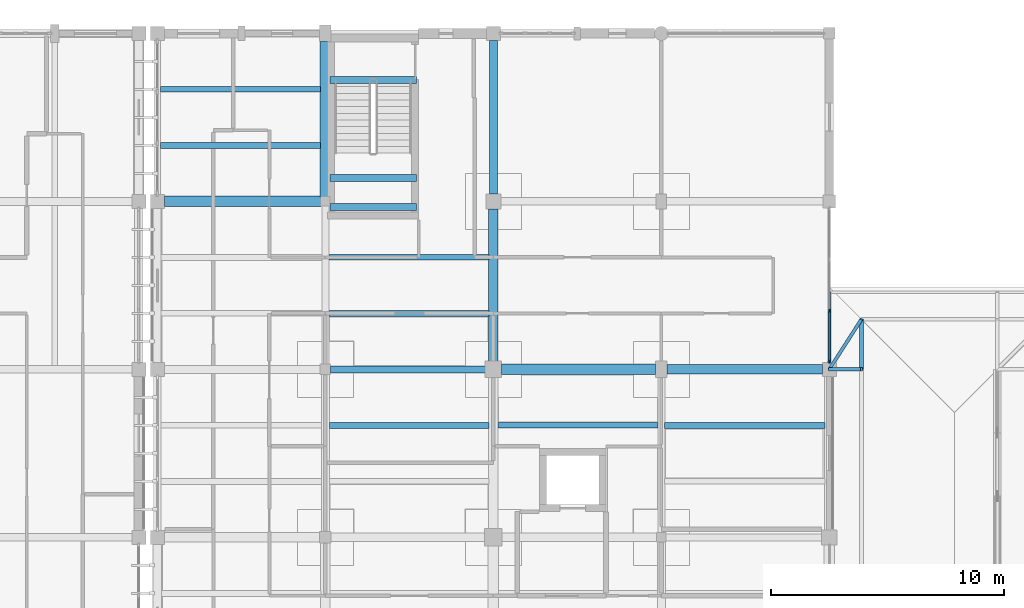
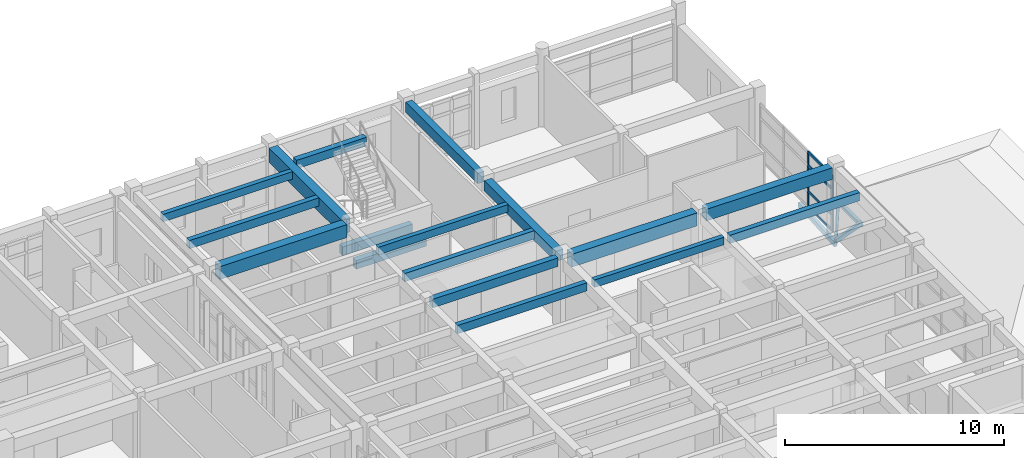
# One storey, part 19 of 55: 17 beams, 10 members, 1 element without a shape of its own.
"""IFC4 building model written with IfcOpenShell, lengths in metres."""

from ifc_helpers import new_model, si_unit, direction, frame, origin, origin_2d, place, context, subcontext, project, spatial, rectangle, i_section, extrude, material, material_profile, profile_set, type_object, element, aggregate, save


model = new_model("IFC4")

# Units and contexts
model_context = context("Model", 3, precision=1e-05, world=origin(), true_north=direction((0.0, 1.0)))
body_context = subcontext(model_context, "Body", "Model", "MODEL_VIEW")
ifc_project = project(units=[si_unit("LENGTHUNIT", "METRE"), si_unit("AREAUNIT", "SQUARE_METRE"), si_unit("VOLUMEUNIT", "CUBIC_METRE"), si_unit("PLANEANGLEUNIT", "RADIAN"), si_unit("MASSUNIT", "GRAM", prefix="KILO")], contexts=[model_context])

# Site, building, storey
site_placement = place(None, origin())
site = spatial("IfcSite", under=ifc_project, at=site_placement, CompositionType="ELEMENT")
building_placement = place(site_placement, origin())
building = spatial("IfcBuilding", under=site, at=building_placement, Name="Steenspoor Specialist Clinic", CompositionType="ELEMENT")
storey_placement = place(building_placement, frame((0.0, 0.0, 13.199951171875)))
storey = spatial("IfcBuildingStorey", under=building, at=storey_placement, Name="L03", CompositionType="ELEMENT", Elevation=13.199951171875)

# Beams
ifc_material_1 = material(Name="Concrete C35/45", Category="concrete")
ifc_material_profile_1 = material_profile(ifc_material_1, rectangle(XDim=0.300048828125, YDim=0.47998046875, at=origin_2d()), Name="RC-BM-300X480")
ifc_profile_set_1 = profile_set([ifc_material_profile_1], Name="Concrete C35/45")
beam_type_1 = type_object("IfcBeamType", Name="BM-RC-300X480", PredefinedType="BEAM", material=ifc_profile_set_1)
for number, where, z_axis, x_axis, name in (
    (1, (125.39990234375, 102.14990234375, 1.66015625), (1.0, 0.0, 0.0), (0.0, 1.0, 0.0), "Stair Mid-Landing Bearer 1 ST-V6A L03"),
    (2, (125.39990234375, 100.89990234375, 1.66015625), (1.0, 0.0, 0.0), (0.0, 1.0, 0.0), "Stair Mid-Landing Bearer 2 ST-V6A L03"),
    (3, (125.39990234375, 106.35009765625, 3.9599609375), (1.0, 0.0, 0.0), (0.0, 1.0, 0.0), "Stair Well Trimmer Beam ST-V6A L03"),
):
    element("IfcBeam", number, at=place(storey_placement, frame(where, z_axis=z_axis, x_axis=x_axis)), inside=storey, type_object=beam_type_1, Name=name, PredefinedType="BEAM", context=body_context, shape_type="SweptSolid", body=[
        extrude(rectangle(XDim=0.300048828125, YDim=0.47998046875, at=origin_2d()), origin(), (0.0, 0.0, 1.0), 3.7001953125),
    ])
beam_1_placement = place(storey_placement, frame((125.419921875, 93.949951171875, 3.7099609375), z_axis=(1.0, 0.0, 0.0), x_axis=(0.0, 1.0, 0.0)))
element("IfcBeam", 4, at=beam_1_placement, inside=storey, type_object=beam_type_1, Name="BM-V6-L03-X1718", PredefinedType="BEAM", context=body_context, shape_type="SweptSolid", body=[
    extrude(rectangle(XDim=0.300048828125, YDim=0.47998046875, at=origin_2d()), origin(), (0.0, 0.0, 1.0), 6.635009765625),
])
ifc_material_profile_2 = material_profile(ifc_material_1, rectangle(XDim=0.35009765625, YDim=0.580078125, at=origin_2d()), Name="RC-BM-350X580")
ifc_profile_set_2 = profile_set([ifc_material_profile_2], Name="Concrete C35/45")
beam_type_2 = type_object("IfcBeamType", Name="BM-RC-350X580", PredefinedType="BEAM", material=ifc_profile_set_2)
beam_2_placement = place(storey_placement, frame((132.39990234375, 101.469970703125, 3.66015625), z_axis=(0.0, 1.0, 0.0), x_axis=(-1.0, 0.0, 0.0)))
element("IfcBeam", 5, at=beam_2_placement, inside=storey, type_object=beam_type_2, Name="BM-V6-L03-Y1741", PredefinedType="BEAM", context=body_context, shape_type="SweptSolid", body=[
    extrude(rectangle(XDim=0.35009765625, YDim=0.580078125, at=origin_2d()), origin(), (0.0, 0.0, 1.0), 6.5849609375),
])
ifc_material_profile_3 = material_profile(ifc_material_1, rectangle(XDim=0.39990234375, YDim=0.580078125, at=origin_2d()), Name="RC-BM-400X580")
ifc_profile_set_3 = profile_set([ifc_material_profile_3], Name="Concrete C35/45")
beam_type_3 = type_object("IfcBeamType", Name="BM-RC-400X580", PredefinedType="BEAM", material=ifc_profile_set_3)
beam_3_placement = place(storey_placement, frame((132.39990234375, 94.294921875, 3.66015625), z_axis=(0.0, 1.0, 0.0), x_axis=(-1.0, 0.0, 0.0)))
element("IfcBeam", 6, at=beam_3_placement, inside=storey, type_object=beam_type_3, Name="BM-V6-L03-Y1740", PredefinedType="BEAM", context=body_context, shape_type="SweptSolid", body=[
    extrude(rectangle(XDim=0.39990234375, YDim=0.580078125, at=origin_2d()), origin(), (0.0, 0.0, 1.0), 6.53515625),
])
ifc_material_profile_4 = material_profile(ifc_material_1, rectangle(XDim=0.39990234375, YDim=0.64990234375, at=origin_2d()), Name="RC-BM-400X650")
ifc_profile_set_4 = profile_set([ifc_material_profile_4], Name="Concrete C35/45")
beam_type_4 = type_object("IfcBeamType", Name="BM-RC-400X650", PredefinedType="BEAM", material=ifc_profile_set_4)
beam_4_placement = place(storey_placement, frame((139.844970703125, 93.949951171875, 3.625), z_axis=(1.0, 0.0, 0.0), x_axis=(0.0, 1.0, 0.0)))
element("IfcBeam", 7, at=beam_4_placement, inside=storey, type_object=beam_type_4, Name="BM-V6-L03-X1720", PredefinedType="BEAM", context=body_context, shape_type="SweptSolid", body=[
    extrude(rectangle(XDim=0.39990234375, YDim=0.64990234375, at=origin_2d()), origin(), (0.0, 0.0, 1.0), 6.659912109375),
])
ifc_material_profile_5 = material_profile(ifc_material_1, rectangle(XDim=0.449951171875, YDim=0.719970703125, at=origin_2d()), Name="RC-BM-450X720")
ifc_profile_set_5 = profile_set([ifc_material_profile_5], Name="Concrete C35/45")
beam_type_5 = type_object("IfcBeamType", Name="BM-RC-450X720", PredefinedType="BEAM", material=ifc_profile_set_5)
beam_5_placement = place(storey_placement, frame((132.7451171875, 93.949951171875, 3.590087890625), z_axis=(1.0, 0.0, 0.0), x_axis=(0.0, 1.0, 0.0)))
element("IfcBeam", 8, at=beam_5_placement, inside=storey, type_object=beam_type_5, Name="BM-V6-L03-X1719", PredefinedType="BEAM", context=body_context, shape_type="SweptSolid", body=[
    extrude(rectangle(XDim=0.449951171875, YDim=0.719970703125, at=origin_2d()), origin(), (0.0, 0.0, 1.0), 6.60986328125),
])
beam_6_placement = place(storey_placement, frame((118.294921875, 101.14990234375, 3.590087890625), z_axis=(1.0, 0.0, 0.0), x_axis=(0.0, 1.0, 0.0)))
element("IfcBeam", 9, at=beam_6_placement, inside=storey, type_object=beam_type_5, Name="BM-V6-L03-X1721", PredefinedType="BEAM", context=body_context, shape_type="SweptSolid", body=[
    extrude(rectangle(XDim=0.449951171875, YDim=0.719970703125, at=origin_2d()), origin(), (0.0, 0.0, 1.0), 6.7099609375),
])
ifc_material_profile_6 = material_profile(ifc_material_1, rectangle(XDim=0.449951171875, YDim=0.800048828125, at=origin_2d()), Name="RC-BM-450X800")
ifc_profile_set_6 = profile_set([ifc_material_profile_6], Name="Concrete C35/45")
beam_type_6 = type_object("IfcBeamType", Name="BM-RC-450X800", PredefinedType="BEAM", material=ifc_profile_set_6)
beam_7_placement = place(storey_placement, frame((125.199951171875, 101.344970703125, 3.550048828125), z_axis=(0.0, 1.0, 0.0), x_axis=(-1.0, 0.0, 0.0)))
element("IfcBeam", 10, at=beam_7_placement, inside=storey, type_object=beam_type_6, Name="BM-V6-L03-Y1735", PredefinedType="BEAM", context=body_context, shape_type="SweptSolid", body=[
    extrude(rectangle(XDim=0.449951171875, YDim=0.800048828125, at=origin_2d()), origin(), (0.0, 0.0, 1.0), 6.659912109375),
])

# Curtain wall, members
ifc_material_2 = material(Name="Thermally broken aluminium and low-emissivity glass", Category="aluminium")
curtain_wall_type = type_object("IfcCurtainWallType", Name="CW-TYP-660X355", PredefinedType="USERDEFINED", material=ifc_material_2)
curtain_wall_placement = place(storey_placement, origin())
curtain_wall = element("IfcCurtainWall", 11, at=curtain_wall_placement, inside=storey, type_object=curtain_wall_type, Name="Unitised Curtain Wall CW-V6-L03-201", ObjectType="UNITISED GLAZING", PredefinedType="USERDEFINED")
ifc_material_3 = material(Name="Thermally broken aluminium 6063-T6", Category="aluminium")
ifc_material_profile_7 = material_profile(ifc_material_3, rectangle(XDim=0.06494140625, YDim=0.14990234375, at=origin_2d()), Name="CWM-65X150")
ifc_profile_set_7 = profile_set([ifc_material_profile_7], Name="Thermally broken aluminium 6063-T6")
member_type_1 = type_object("IfcMemberType", Name="CW-MULL-65X150", PredefinedType="MULLION", material=ifc_profile_set_7)
member_1_placement = place(storey_placement, frame((146.800048828125, 96.458251953125, 0.0), z_axis=(0.0, 0.0, 1.0), x_axis=(1.0, 0.0, 0.0)))
member_1 = element("IfcMember", 12, at=member_1_placement, type_object=member_type_1, Name="CW-09 mullion 3", PredefinedType="MULLION", context=body_context, shape_type="SweptSolid", body=[
    extrude(rectangle(XDim=0.06494140625, YDim=0.14990234375, at=origin_2d()), origin(), (0.0, 0.0, 1.0), 3.130126953125),
])
member_2_placement = place(storey_placement, frame((146.800048828125, 94.282470703125, 0.0), z_axis=(0.0, 0.0, 1.0), x_axis=(1.0, 0.0, 0.0)))
member_2 = element("IfcMember", 13, at=member_2_placement, type_object=member_type_1, Name="CW-09 mullion 4", PredefinedType="MULLION", context=body_context, shape_type="SweptSolid", body=[
    extrude(rectangle(XDim=0.06494140625, YDim=0.14990234375, at=origin_2d()), origin(), (0.0, 0.0, 1.0), 3.130126953125),
])
ifc_material_profile_8 = material_profile(ifc_material_3, rectangle(XDim=0.070068359375, YDim=0.14501953125, at=origin_2d()), Name="CWT-70X145")
ifc_profile_set_8 = profile_set([ifc_material_profile_8], Name="Thermally broken aluminium 6063-T6")
member_type_2 = type_object("IfcMemberType", Name="CW-TRAN-70X145", PredefinedType="USERDEFINED", material=ifc_profile_set_8)
member_3_placement = place(storey_placement, frame((146.800048828125, 96.42578125, 0.03515625), z_axis=(0.0, -1.0, 0.0), x_axis=(1.0, 0.0, 0.0)))
member_3 = element("IfcMember", 14, at=member_3_placement, type_object=member_type_2, Name="CW-09 transom 3.1", ObjectType="TRANSOM", PredefinedType="USERDEFINED", context=body_context, shape_type="SweptSolid", body=[
    extrude(rectangle(XDim=0.070068359375, YDim=0.14501953125, at=origin_2d()), origin(), (0.0, 0.0, 1.0), 2.11083984375),
])
member_4_placement = place(storey_placement, frame((146.800048828125, 96.42578125, 0.900146484375), z_axis=(0.0, -1.0, 0.0), x_axis=(1.0, 0.0, 0.0)))
member_4 = element("IfcMember", 15, at=member_4_placement, type_object=member_type_2, Name="CW-09 transom 3.2", ObjectType="TRANSOM", PredefinedType="USERDEFINED", context=body_context, shape_type="SweptSolid", body=[
    extrude(rectangle(XDim=0.070068359375, YDim=0.14501953125, at=origin_2d()), origin(), (0.0, 0.0, 1.0), 2.11083984375),
])
member_5_placement = place(storey_placement, frame((146.800048828125, 96.42578125, 2.35009765625), z_axis=(0.0, -1.0, 0.0), x_axis=(1.0, 0.0, 0.0)))
member_5 = element("IfcMember", 16, at=member_5_placement, type_object=member_type_2, Name="CW-09 transom 3.3", ObjectType="TRANSOM", PredefinedType="USERDEFINED", context=body_context, shape_type="SweptSolid", body=[
    extrude(rectangle(XDim=0.070068359375, YDim=0.14501953125, at=origin_2d()), origin(), (0.0, 0.0, 1.0), 2.11083984375),
])
member_6_placement = place(storey_placement, frame((146.800048828125, 96.42578125, 3.094970703125), z_axis=(0.0, -1.0, 0.0), x_axis=(1.0, 0.0, 0.0)))
member_6 = element("IfcMember", 17, at=member_6_placement, type_object=member_type_2, Name="CW-09 transom 3.4", ObjectType="TRANSOM", PredefinedType="USERDEFINED", context=body_context, shape_type="SweptSolid", body=[
    extrude(rectangle(XDim=0.070068359375, YDim=0.14501953125, at=origin_2d()), origin(), (0.0, 0.0, 1.0), 2.11083984375),
])
aggregate(curtain_wall, [member_1, member_2, member_3, member_4, member_5, member_6])

# Beams
ifc_material_profile_9 = material_profile(ifc_material_1, rectangle(XDim=0.239990234375, YDim=0.419921875, at=origin_2d()), Name="RC-JT-240X420")
ifc_profile_set_9 = profile_set([ifc_material_profile_9], Name="Concrete C35/45")
beam_type_7 = type_object("IfcBeamType", Name="JT-RC-240X420", PredefinedType="JOIST", material=ifc_profile_set_9)
beam_8_placement = place(storey_placement, frame((118.135009765625, 105.949951171875, 3.739990234375), z_axis=(1.0, 0.0, 0.0), x_axis=(0.0, 1.0, 0.0)))
element("IfcBeam", 18, at=beam_8_placement, inside=storey, type_object=beam_type_7, Name="JT-V6-L03-1761", PredefinedType="JOIST", context=body_context, shape_type="SweptSolid", body=[
    extrude(rectangle(XDim=0.239990234375, YDim=0.419921875, at=origin_2d()), origin(), (0.0, 0.0, 1.0), 6.844970703125),
])
for number, where, z_axis, x_axis, name in (
    (19, (125.344970703125, 98.75, 3.739990234375), (1.0, 0.0, 0.0), (0.0, 1.0, 0.0), "JT-V6-L03-1771"),
    (20, (132.594970703125, 91.550048828125, 3.739990234375), (1.0, 0.0, 0.0), (0.0, 1.0, 0.0), "JT-V6-L03-1778"),
):
    element("IfcBeam", number, at=place(storey_placement, frame(where, z_axis=z_axis, x_axis=x_axis)), inside=storey, type_object=beam_type_7, Name=name, PredefinedType="JOIST", context=body_context, shape_type="SweptSolid", body=[
        extrude(rectangle(XDim=0.239990234375, YDim=0.419921875, at=origin_2d()), origin(), (0.0, 0.0, 1.0), 6.860107421875),
    ])
ifc_material_profile_10 = material_profile(ifc_material_1, rectangle(XDim=0.260009765625, YDim=0.4599609375, at=origin_2d()), Name="RC-JT-260X460")
ifc_profile_set_10 = profile_set([ifc_material_profile_10], Name="Concrete C35/45")
beam_type_8 = type_object("IfcBeamType", Name="JT-RC-260X460", PredefinedType="JOIST", material=ifc_profile_set_10)
beam_9_placement = place(storey_placement, frame((118.135009765625, 103.550048828125, 3.719970703125), z_axis=(1.0, 0.0, 0.0), x_axis=(0.0, 1.0, 0.0)))
element("IfcBeam", 21, at=beam_9_placement, inside=storey, type_object=beam_type_8, Name="JT-V6-L03-1760", PredefinedType="JOIST", context=body_context, shape_type="SweptSolid", body=[
    extrude(rectangle(XDim=0.260009765625, YDim=0.4599609375, at=origin_2d()), origin(), (0.0, 0.0, 1.0), 6.844970703125),
])
beam_10_placement = place(storey_placement, frame((125.3701171875, 91.550048828125, 3.719970703125), z_axis=(1.0, 0.0, 0.0), x_axis=(0.0, 1.0, 0.0)))
element("IfcBeam", 22, at=beam_10_placement, inside=storey, type_object=beam_type_8, Name="JT-V6-L03-1769", PredefinedType="JOIST", context=body_context, shape_type="SweptSolid", body=[
    extrude(rectangle(XDim=0.260009765625, YDim=0.4599609375, at=origin_2d()), origin(), (0.0, 0.0, 1.0), 6.8349609375),
])
beam_11_placement = place(storey_placement, frame((125.344970703125, 96.35009765625, 3.719970703125), z_axis=(1.0, 0.0, 0.0), x_axis=(0.0, 1.0, 0.0)))
element("IfcBeam", 23, at=beam_11_placement, inside=storey, type_object=beam_type_8, Name="JT-V6-L03-1770", PredefinedType="JOIST", context=body_context, shape_type="SweptSolid", body=[
    extrude(rectangle(XDim=0.260009765625, YDim=0.4599609375, at=origin_2d()), origin(), (0.0, 0.0, 1.0), 6.860107421875),
])
beam_12_placement = place(storey_placement, frame((139.7451171875, 91.550048828125, 3.719970703125), z_axis=(1.0, 0.0, 0.0), x_axis=(0.0, 1.0, 0.0)))
element("IfcBeam", 24, at=beam_12_placement, inside=storey, type_object=beam_type_8, Name="JT-V6-L03-1784", PredefinedType="JOIST", context=body_context, shape_type="SweptSolid", body=[
    extrude(rectangle(XDim=0.260009765625, YDim=0.4599609375, at=origin_2d()), origin(), (0.0, 0.0, 1.0), 6.85986328125),
])

# Members
ifc_material_4 = material(Name="Steel A992 Grade 50", Category="steel")
ifc_material_profile_11 = material_profile(ifc_material_4, i_section(OverallWidth=0.1650390625, OverallDepth=0.200927734375, WebThickness=0.006103515625, FlangeThickness=0.01025390625, at=origin_2d()), Name="W200X36")
ifc_profile_set_11 = profile_set([ifc_material_profile_11], Name="Steel A992 Grade 50")
member_type_3 = type_object("IfcMemberType", Name="MEM-PURLIN-W200", PredefinedType="PURLIN", material=ifc_profile_set_11)
member_7_placement = place(storey_placement, frame((148.179931640625, 93.949951171875, 0.0439453125), z_axis=(0.0, 1.0, 0.0), x_axis=(-1.0, 0.0, 0.0)))
element("IfcMember", 25, at=member_7_placement, inside=storey, type_object=member_type_3, Name="ROOF TRUSS Knuckle Purlin 489", PredefinedType="PURLIN", context=body_context, shape_type="SweptSolid", body=[
    extrude(i_section(OverallWidth=0.1650390625, OverallDepth=0.200927734375, WebThickness=0.006103515625, FlangeThickness=0.01025390625, at=origin_2d()), origin(), (0.0, 0.0, 1.0), 2.150146484375),
])
ifc_material_5 = material(Name="Glulam GL28h", Category="wood")
ifc_material_profile_12 = material_profile(ifc_material_5, rectangle(XDim=0.139892578125, YDim=0.219970703125, at=origin_2d()), Name="GL28H-140X220")
ifc_profile_set_12 = profile_set([ifc_material_profile_12], Name="Glulam GL28h")
member_type_4 = type_object("IfcMemberType", Name="MEM-RAFTER-GL220", PredefinedType="RAFTER", material=ifc_profile_set_12)
member_8_placement = place(storey_placement, frame((146.800048828125, 93.949951171875, -0.35595703125), z_axis=(0.932893944911, 0.0, 0.360151200955), x_axis=(0.0, 1.0, 0.0)))
element("IfcMember", 26, at=member_8_placement, inside=storey, type_object=member_type_4, Name="ROOF TRUSS Knuckle Rafter V6T2 326", PredefinedType="RAFTER", context=body_context, shape_type="SweptSolid", body=[
    extrude(rectangle(XDim=0.139892578125, YDim=0.219970703125, at=origin_2d()), origin(), (0.0, 0.0, 1.0), 1.479248046875),
])
member_9_placement = place(storey_placement, frame((146.800048828125, 93.949951171875, -0.467041015625), z_axis=(0.523732836482, 0.816085472557, 0.244353059059), x_axis=(-0.841597375976, 0.540105412628, 0.0)))
element("IfcMember", 27, at=member_9_placement, inside=storey, type_object=member_type_4, Name="ROOF TRUSS Corner Knuckle Rafter V6T2 331", PredefinedType="RAFTER", context=body_context, shape_type="SweptSolid", body=[
    extrude(rectangle(XDim=0.139892578125, YDim=0.219970703125, at=origin_2d()), origin(), (0.0, 0.0, 1.0), 2.634765625),
])
ifc_material_profile_13 = material_profile(ifc_material_5, rectangle(XDim=0.159912109375, YDim=0.280029296875, at=origin_2d()), Name="GL28H-160X280")
ifc_profile_set_13 = profile_set([ifc_material_profile_13], Name="Glulam GL28h")
member_type_5 = type_object("IfcMemberType", Name="MEM-RAFTER-GL280", PredefinedType="RAFTER", material=ifc_profile_set_13)
member_10_placement = place(storey_placement, frame((146.800048828125, 93.949951171875, -0.5400390625), z_axis=(0.0, 0.997518653982, 0.070402663009), x_axis=(-1.0, 0.0, 0.0)))
element("IfcMember", 28, at=member_10_placement, inside=storey, type_object=member_type_5, Name="ROOF TRUSS Flared Eave Glulam Outrigger V6T2 322", PredefinedType="RAFTER", context=body_context, shape_type="SweptSolid", body=[
    extrude(rectangle(XDim=0.159912109375, YDim=0.280029296875, at=origin_2d()), origin(), (0.0, 0.0, 1.0), 3.308349609375),
])

save(model, "model.ifc")
